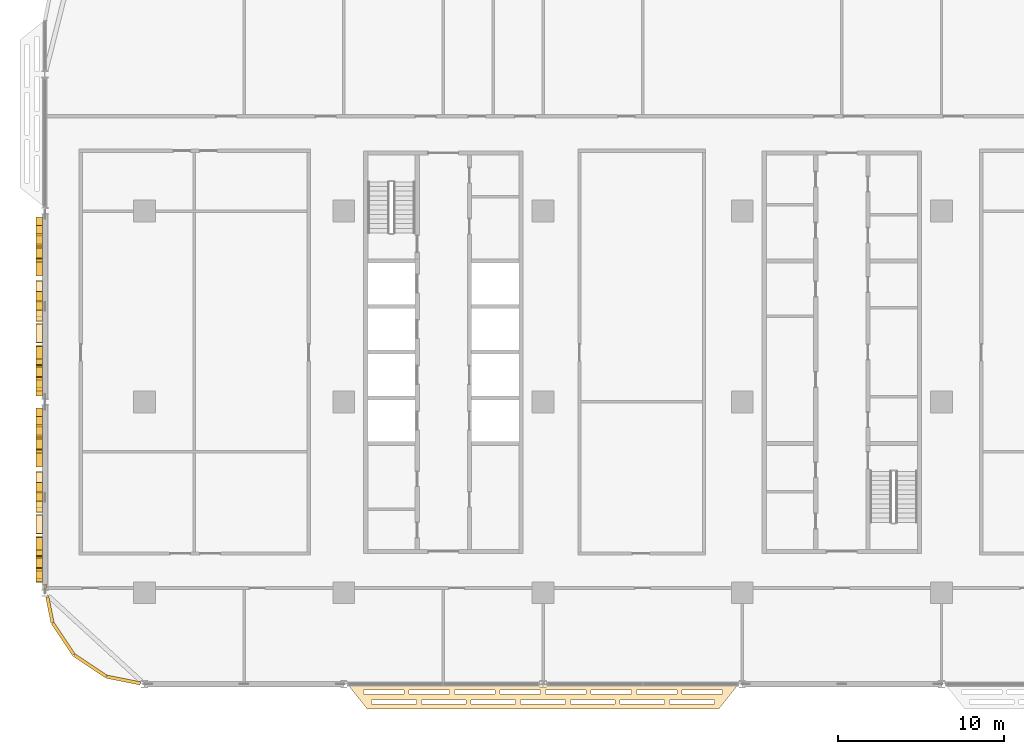
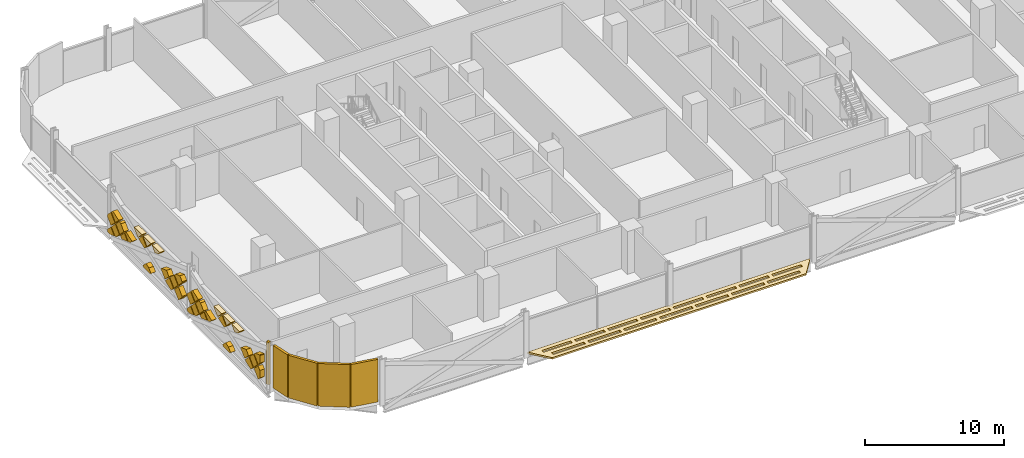
# One storey, part 24 of 28: 40 coverings.
"""IFC4 building model written with IfcOpenShell, lengths in metres."""

from ifc_helpers import new_model, si_unit, direction, frame, origin, origin_2d, place, context, subcontext, project, spatial, polyline, rectangle, outline, extrude, material, layer, layer_set, type_object, element, save


model = new_model("IFC4")

# Units and contexts
model_context = context("Model", 3, precision=1e-05, world=origin(), true_north=direction((0.0, 1.0)))
body_context = subcontext(model_context, "Body", "Model", "MODEL_VIEW")
ifc_project = project(units=[si_unit("LENGTHUNIT", "METRE"), si_unit("AREAUNIT", "SQUARE_METRE"), si_unit("VOLUMEUNIT", "CUBIC_METRE"), si_unit("PLANEANGLEUNIT", "RADIAN"), si_unit("MASSUNIT", "GRAM", prefix="KILO")], contexts=[model_context])

# Site, building, storey
site_placement = place(None, origin())
site = spatial("IfcSite", under=ifc_project, at=site_placement, CompositionType="ELEMENT")
building_placement = place(site_placement, origin())
building = spatial("IfcBuilding", under=site, at=building_placement, Name="Mahtab Terrace Research Tower", CompositionType="ELEMENT")
storey_placement = place(building_placement, frame((0.0, 0.0, 134.300048828125)))
storey = spatial("IfcBuildingStorey", under=building, at=storey_placement, Name="L31", CompositionType="ELEMENT", Elevation=134.300048828125)

# Coverings
ifc_material_1 = material(Name="Black aluminium cladding panel", Category="aluminium")
ifc_layer_1 = layer(ifc_material_1, 0.199951171875)
ifc_layer_set_1 = layer_set([ifc_layer_1], Name="Black metal corner cladding 200")
covering_type_1 = type_object("IfcCoveringType", Name="Black metal corner cladding 200", PredefinedType="CLADDING", material=ifc_layer_set_1)
covering_1_placement = place(storey_placement, frame((-47.97607421875, -11.11962890625, 0.0), z_axis=(0.0, 0.0, 1.0), x_axis=(0.195212442692, -0.980760981187, 0.0)))
element("IfcCovering", 1, at=covering_1_placement, inside=storey, type_object=covering_type_1, Name="Corner cladding L31 19", PredefinedType="CLADDING", context=body_context, shape_type="SweptSolid", body=[
    extrude(rectangle(XDim=0.22412109375, YDim=0.199951171875, at=origin_2d()), origin(), (0.0, 0.0, 1.0), 3.760009765625),
])
covering_2_placement = place(storey_placement, frame((-47.700439453125, -12.50439453125, 0.0), z_axis=(0.0, 0.0, 1.0), x_axis=(0.195212442692, -0.980760981187, 0.0)))
element("IfcCovering", 2, at=covering_2_placement, inside=storey, type_object=covering_type_1, Name="Corner cladding L31 20", PredefinedType="CLADDING", context=body_context, shape_type="SweptSolid", body=[
    extrude(rectangle(XDim=1.574462890625, YDim=0.199951171875, at=origin_2d()), origin(), (0.0, 0.0, 1.0), 3.760009765625),
])
for number, where, z_axis, x_axis, name in (
    (3, (-46.89306640625, -14.26953125, 0.0), (0.0, 0.0, 1.0), (0.555291490808, -0.831655794326, 0.0), "Corner cladding L31 21"),
    (4, (-45.26953125, -15.89306640625, 0.0), (0.0, 0.0, 1.0), (0.831655794326, -0.555291490808, 0.0), "Corner cladding L31 22"),
):
    element("IfcCovering", number, at=place(storey_placement, frame(where, z_axis=z_axis, x_axis=x_axis)), inside=storey, type_object=covering_type_1, Name=name, PredefinedType="CLADDING", context=body_context, shape_type="SweptSolid", body=[
        extrude(rectangle(XDim=2.30126953125, YDim=0.199951171875, at=origin_2d()), origin(), (0.0, 0.0, 1.0), 3.760009765625),
    ])
covering_3_placement = place(storey_placement, frame((-43.263916015625, -16.74853515625, 0.0), z_axis=(0.0, 0.0, 1.0), x_axis=(0.980760981187, -0.195212442692, 0.0)))
element("IfcCovering", 5, at=covering_3_placement, inside=storey, type_object=covering_type_1, Name="Corner cladding L31 23", PredefinedType="CLADDING", context=body_context, shape_type="SweptSolid", body=[
    extrude(rectangle(XDim=2.064697265625, YDim=0.199951171875, at=origin_2d()), origin(), (0.0, 0.0, 1.0), 3.760009765625),
])
ifc_material_2 = material(Name="Black anodised aluminium", Category="aluminium")
ifc_layer_2 = layer(ifc_material_2, 0.14990234375)
ifc_layer_set_2 = layer_set([ifc_layer_2], Name="Horizontal sunshade band")
covering_type_2 = type_object("IfcCoveringType", Name="Horizontal sunshade band", PredefinedType="CLADDING", material=ifc_layer_set_2)
covering_4_placement = place(storey_placement, frame((0.0, 0.0, -0.150146484375)))
element("IfcCovering", 6, at=covering_4_placement, inside=storey, type_object=covering_type_2, Name="Sunshade band L31 25", PredefinedType="CLADDING", context=body_context, shape_type="SweptSolid", body=[
    extrude(outline(polyline([(-29.781982421875, -17.0), (-6.218017578125, -17.0), (-7.41796875, -18.5), (-28.58203125, -18.5), (-29.781982421875, -17.0)]), holes=[polyline([(-28.802001953125, -17.35009765625), (-26.364013671875, -17.35009765625), (-26.364013671875, -17.60009765625), (-28.802001953125, -17.60009765625), (-28.802001953125, -17.35009765625)]), polyline([(-26.06396484375, -17.35009765625), (-23.6259765625, -17.35009765625), (-23.6259765625, -17.60009765625), (-26.06396484375, -17.60009765625), (-26.06396484375, -17.35009765625)]), polyline([(-23.325927734375, -17.35009765625), (-20.887939453125, -17.35009765625), (-20.887939453125, -17.60009765625), (-23.325927734375, -17.60009765625), (-23.325927734375, -17.35009765625)]), polyline([(-20.587890625, -17.35009765625), (-18.14990234375, -17.35009765625), (-18.14990234375, -17.60009765625), (-20.587890625, -17.60009765625), (-20.587890625, -17.35009765625)]), polyline([(-17.85009765625, -17.35009765625), (-15.412109375, -17.35009765625), (-15.412109375, -17.60009765625), (-17.85009765625, -17.60009765625), (-17.85009765625, -17.35009765625)]), polyline([(-15.112060546875, -17.35009765625), (-12.674072265625, -17.35009765625), (-12.674072265625, -17.60009765625), (-15.112060546875, -17.60009765625), (-15.112060546875, -17.35009765625)]), polyline([(-12.3740234375, -17.35009765625), (-9.93603515625, -17.35009765625), (-9.93603515625, -17.60009765625), (-12.3740234375, -17.60009765625), (-12.3740234375, -17.35009765625)]), polyline([(-9.635986328125, -17.35009765625), (-7.197998046875, -17.35009765625), (-7.197998046875, -17.60009765625), (-9.635986328125, -17.60009765625), (-9.635986328125, -17.35009765625)]), polyline([(-28.322021484375, -17.949951171875), (-25.6298828125, -17.949951171875), (-25.6298828125, -18.199951171875), (-28.322021484375, -18.199951171875), (-28.322021484375, -17.949951171875)]), polyline([(-25.330078125, -17.949951171875), (-22.637939453125, -17.949951171875), (-22.637939453125, -18.199951171875), (-25.330078125, -18.199951171875), (-25.330078125, -17.949951171875)]), polyline([(-22.337890625, -17.949951171875), (-19.64599609375, -17.949951171875), (-19.64599609375, -18.199951171875), (-22.337890625, -18.199951171875), (-22.337890625, -17.949951171875)]), polyline([(-19.345947265625, -17.949951171875), (-16.654052734375, -17.949951171875), (-16.654052734375, -18.199951171875), (-19.345947265625, -18.199951171875), (-19.345947265625, -17.949951171875)]), polyline([(-16.35400390625, -17.949951171875), (-13.662109375, -17.949951171875), (-13.662109375, -18.199951171875), (-16.35400390625, -18.199951171875), (-16.35400390625, -17.949951171875)]), polyline([(-13.362060546875, -17.949951171875), (-10.669921875, -17.949951171875), (-10.669921875, -18.199951171875), (-13.362060546875, -18.199951171875), (-13.362060546875, -17.949951171875)]), polyline([(-10.3701171875, -17.949951171875), (-7.677978515625, -17.949951171875), (-7.677978515625, -18.199951171875), (-10.3701171875, -18.199951171875), (-10.3701171875, -17.949951171875)])]), origin(), (0.0, 0.0, 1.0), 0.150146484375),
])
ifc_material_3 = material(Name="Bronze anodised aluminium", Category="aluminium")
ifc_layer_3 = layer(ifc_material_3, 0.39990234375)
ifc_layer_set_3 = layer_set([ifc_layer_3], Name="Mashrabiya relief panel 400")
covering_type_3 = type_object("IfcCoveringType", Name="Mashrabiya relief panel 400", PredefinedType="CLADDING", material=ifc_layer_set_3)
covering_5_placement = place(storey_placement, frame((-48.14990234375, 11.14697265625, 0.18505859375), z_axis=(1.0, 0.0, 0.0), x_axis=(0.0, 0.0, 1.0)))
element("IfcCovering", 7, at=covering_5_placement, inside=storey, type_object=covering_type_3, Name="Mashrabiya lattice cell L31 W17.1", PredefinedType="CLADDING", context=body_context, shape_type="SweptSolid", body=[
    extrude(outline(polyline([(0.0, 0.0), (0.1298828125, 0.0), (0.644775390625, 0.514892578125), (0.14990234375, 1.010009765625), (-0.050048828125, 0.447998046875), (-0.050048828125, 0.050048828125), (0.0, 0.0)])), origin(), (0.0, 0.0, -1.0), 0.39990234375),
])
covering_6_placement = place(storey_placement, frame((-48.14990234375, 10.632080078125, 2.1298828125), z_axis=(1.0, 0.0, 0.0), x_axis=(0.0, -0.707255598772, -0.706957932274)))
element("IfcCovering", 8, at=covering_6_placement, inside=storey, type_object=covering_type_3, Name="Mashrabiya lattice cell L31 W17.2", PredefinedType="CLADDING", context=body_context, shape_type="SweptSolid", body=[
    extrude(outline(polyline([(0.0, 0.0), (0.8201817362875763, 0.0), (0.8200090664636573, 0.8203543334390104), (0.09184101544392964, 0.8202010671685369), (-0.0001532662704735177, 0.7281680510197277), (0.0, 0.0)])), origin(), (0.0, 0.0, -1.0), 0.39990234375),
])
covering_7_placement = place(storey_placement, frame((-48.14990234375, 10.56201171875, 0.89990234375), z_axis=(1.0, 0.0, 0.0), x_axis=(0.0, -0.707106781187, 0.707106781187)))
element("IfcCovering", 9, at=covering_7_placement, inside=storey, type_object=covering_type_3, Name="Mashrabiya lattice cell L31 W17.3", PredefinedType="CLADDING", context=body_context, shape_type="SweptSolid", body=[
    extrude(outline(polyline([(0.0, 0.0), (0.8203543516109556, 0.0), (0.820181718119455, 0.820181718119455), (0.1555427758420604, 0.8201817181194551), (0.0001726334915006511, 0.74663985074019), (0.0, 0.0)])), origin(), (0.0, 0.0, -1.0), 0.39990234375),
])
covering_8_placement = place(storey_placement, frame((-48.14990234375, 9.98193359375, 1.619873046875), z_axis=(1.0, 0.0, 0.0), x_axis=(0.0, 0.707106781187, 0.707106781187)))
element("IfcCovering", 10, at=covering_8_placement, inside=storey, type_object=covering_type_3, Name="Mashrabiya lattice cell L31 W17.4", PredefinedType="CLADDING", context=body_context, shape_type="SweptSolid", body=[
    extrude(outline(polyline([(0.0, 0.0), (0.8203543516109556, 0.0), (0.8203543516109556, 0.2914053336530499), (0.0, 0.6801759565124506), (0.0, 0.0)])), origin(), (0.0, 0.0, -1.0), 0.39990234375),
])
covering_9_placement = place(storey_placement, frame((-48.14990234375, 8.751953125, 1.550048828125), z_axis=(1.0, 0.0, 0.0), x_axis=(0.0, 0.707106781187, -0.707106781187)))
element("IfcCovering", 11, at=covering_9_placement, inside=storey, type_object=covering_type_3, Name="Mashrabiya lattice cell L31 W17.5", PredefinedType="CLADDING", context=body_context, shape_type="SweptSolid", body=[
    extrude(outline(polyline([(0.0, 0.0), (0.8203543516109556, 0.0), (0.8203543516109556, 0.8203543516109556), (0.09339471890183648, 0.820181718119455), (0.0001726334915006511, 0.6237248047917472), (0.0, 0.0)])), origin(), (0.0, 0.0, -1.0), 0.39990234375),
])
covering_10_placement = place(storey_placement, frame((-48.14990234375, 9.261962890625, 0.89990234375), z_axis=(1.0, 0.0, 0.0), x_axis=(0.0, -0.707106781187, 0.707106781187)))
element("IfcCovering", 12, at=covering_10_placement, inside=storey, type_object=covering_type_3, Name="Mashrabiya lattice cell L31 W17.6", PredefinedType="CLADDING", context=body_context, shape_type="SweptSolid", body=[
    extrude(outline(polyline([(0.0, 0.0), (0.8203543516109556, 0.0), (0.8203543516109556, 0.6518640639063485), (0.0, 0.2630934410469479), (0.0, 0.0)])), origin(), (0.0, 0.0, -1.0), 0.39990234375),
])
covering_11_placement = place(storey_placement, frame((-48.14990234375, 8.612060546875, 1.550048828125), z_axis=(1.0, 0.0, 0.0), x_axis=(0.0, -0.707608453066, 0.706604753133)))
element("IfcCovering", 13, at=covering_11_placement, inside=storey, type_object=covering_type_3, Name="Mashrabiya lattice cell L31 W17.7", PredefinedType="CLADDING", context=body_context, shape_type="SweptSolid", body=[
    extrude(outline(polyline([(0.0, 0.0), (0.24324065078536633, -1.3877787807814457e-17), (0.6341469786172366, 0.8199044893920819), (0.25504392676029536, 0.8201735476261891), (0.0004969490881323035, 0.7002012651783944), (0.0, 0.0)])), origin(), (0.0, 0.0, -1.0), 0.39990234375),
])
covering_12_placement = place(storey_placement, frame((-48.14990234375, 6.152099609375, 2.849853515625), z_axis=(1.0, 0.0, 0.0), x_axis=(0.0, 0.707106781187, -0.707106781187)))
element("IfcCovering", 14, at=covering_12_placement, inside=storey, type_object=covering_type_3, Name="Mashrabiya lattice cell L31 W17.8", PredefinedType="CLADDING", context=body_context, shape_type="SweptSolid", body=[
    extrude(outline(polyline([(0.0, 0.0), (0.8200090846279543, 0.0), (0.820181718119455, 0.820181718119455), (0.7946319613773629, 0.8201817181194551), (-0.00017263349150062161, 0.02537712325059143), (0.0, 0.0)])), origin(), (0.0, 0.0, -1.0), 0.39990234375),
])
covering_13_placement = place(storey_placement, frame((-48.14990234375, 6.08203125, 2.780029296875), z_axis=(1.0, 0.0, 0.0), x_axis=(0.0, -0.707106781187, -0.707106781187)))
element("IfcCovering", 15, at=covering_13_placement, inside=storey, type_object=covering_type_3, Name="Mashrabiya lattice cell L31 W17.9", PredefinedType="CLADDING", context=body_context, shape_type="SweptSolid", body=[
    extrude(outline(polyline([(0.0, 0.0), (0.8203543516109556, 0.0), (0.8203543516109556, 0.4060339720094629), (0.0, 0.7948045948688636), (0.0, 0.0)])), origin(), (0.0, 0.0, -1.0), 0.39990234375),
])
covering_14_placement = place(storey_placement, frame((-48.14990234375, 6.011962890625, 0.25), z_axis=(1.0, 0.0, 0.0), x_axis=(0.0, -0.707106781187, 0.707106781187)))
element("IfcCovering", 16, at=covering_14_placement, inside=storey, type_object=covering_type_3, Name="Mashrabiya lattice cell L31 W17.10", PredefinedType="CLADDING", context=body_context, shape_type="SweptSolid", body=[
    extrude(outline(polyline([(0.0, 0.0), (0.6321838458752777, 0.0), (0.8201817181194551, 0.3944675280789212), (0.820181718119455, 0.820181718119455), (0.6575609691258691, 0.820181718119455), (0.0, 0.1626207489935859), (0.0, 0.0)])), origin(), (0.0, 0.0, -1.0), 0.39990234375),
])
covering_15_placement = place(storey_placement, frame((-48.14990234375, 4.85205078125, 2.849853515625), z_axis=(1.0, 0.0, 0.0), x_axis=(0.0, 0.707106781187, -0.707106781187)))
element("IfcCovering", 17, at=covering_15_placement, inside=storey, type_object=covering_type_3, Name="Mashrabiya lattice cell L31 W17.11", PredefinedType="CLADDING", context=body_context, shape_type="SweptSolid", body=[
    extrude(outline(polyline([(0.0, 0.0), (0.8200090846279543, 0.0), (0.820181718119455, 0.820181718119455), (0.7946319613773629, 0.8201817181194551), (0.0, 0.02554975674209205), (0.0, 0.0)])), origin(), (0.0, 0.0, -1.0), 0.39990234375),
])
covering_16_placement = place(storey_placement, frame((-48.14990234375, 4.7119140625, 2.849853515625), z_axis=(1.0, 0.0, 0.0), x_axis=(0.0, -0.702280281445, 0.711900559273)))
element("IfcCovering", 18, at=covering_16_placement, inside=storey, type_object=covering_type_3, Name="Mashrabiya lattice cell L31 W17.12", PredefinedType="CLADDING", context=body_context, shape_type="SweptSolid", body=[
    extrude(outline(polyline([(0.0, 0.0), (0.025377710432544852, 1.734723475976807e-18), (0.8147572064709404, 0.8001929137923462), (0.8145834026234616, 0.8257420793717283), (0.44843741350169253, 0.8230786528441478), (-0.00411727222473407, 0.6052390170359014), (0.0, 0.0)])), origin(), (0.0, 0.0, -1.0), 0.39990234375),
])
covering_17_placement = place(storey_placement, frame((-48.14990234375, 2.251953125, 1.550048828125), z_axis=(1.0, 0.0, 0.0), x_axis=(0.0, 0.707106781187, -0.707106781187)))
element("IfcCovering", 19, at=covering_17_placement, inside=storey, type_object=covering_type_3, Name="Mashrabiya lattice cell L31 W17.13", PredefinedType="CLADDING", context=body_context, shape_type="SweptSolid", body=[
    extrude(outline(polyline([(0.0, 0.0), (0.8203543516109556, 0.0), (0.8203543516109556, 0.8203543516109556), (0.7171195236935837, 0.8203543516109555), (0.00017263349150062335, 0.48078427382923217), (0.0, 0.0)])), origin(), (0.0, 0.0, -1.0), 0.39990234375),
])
covering_18_placement = place(storey_placement, frame((-48.14990234375, 2.761962890625, 0.89990234375), z_axis=(1.0, 0.0, 0.0), x_axis=(0.0, -0.707106781187, 0.707106781187)))
element("IfcCovering", 20, at=covering_18_placement, inside=storey, type_object=covering_type_3, Name="Mashrabiya lattice cell L31 W17.14", PredefinedType="CLADDING", context=body_context, shape_type="SweptSolid", body=[
    extrude(outline(polyline([(0.0, 0.0), (0.8203543516109556, 0.0), (0.820181718119455, 0.820181718119455), (0.3209256606996563, 0.8201817181194551), (0.0, 0.14432159889451995), (0.0, 0.0)])), origin(), (0.0, 0.0, -1.0), 0.39990234375),
])
covering_19_placement = place(storey_placement, frame((-48.14990234375, 1.531982421875, 2.1298828125), z_axis=(1.0, 0.0, 0.0), x_axis=(0.0, -0.707255598772, -0.706957932274)))
element("IfcCovering", 21, at=covering_19_placement, inside=storey, type_object=covering_type_3, Name="Mashrabiya lattice cell L31 W17.15", PredefinedType="CLADDING", context=body_context, shape_type="SweptSolid", body=[
    extrude(outline(polyline([(0.0, 0.0), (0.8201817362875763, 0.0), (0.8200090664636573, 0.8203543334390104), (-0.0003452669753531423, 0.8201816636150915), (0.0, 0.0)])), origin(), (0.0, 0.0, -1.0), 0.39990234375),
])
covering_20_placement = place(storey_placement, frame((-48.14990234375, 0.882080078125, 0.320068359375), z_axis=(1.0, 0.0, 0.0), x_axis=(0.0, 0.707106781187, 0.707106781187)))
element("IfcCovering", 22, at=covering_20_placement, inside=storey, type_object=covering_type_3, Name="Mashrabiya lattice cell L31 W17.16", PredefinedType="CLADDING", context=body_context, shape_type="SweptSolid", body=[
    extrude(outline(polyline([(0.0, 0.0), (0.8200090846279543, 0.0), (0.820181718119455, 0.820181718119455), (0.07198816595575935, 0.8201817181194551), (-0.0001726334915006511, 0.748020918672195), (0.0, 0.0)])), origin(), (0.0, 0.0, -1.0), 0.39990234375),
])
covering_21_placement = place(storey_placement, frame((-48.14990234375, 0.882080078125, 1.619873046875), z_axis=(1.0, 0.0, 0.0), x_axis=(0.0, 0.706957932274, 0.707255598772)))
element("IfcCovering", 23, at=covering_21_placement, inside=storey, type_object=covering_type_3, Name="Mashrabiya lattice cell L31 W17.17", PredefinedType="CLADDING", context=body_context, shape_type="SweptSolid", body=[
    extrude(outline(polyline([(0.0, 0.0), (0.8201817362875763, 0.0), (0.8203969195151117, 0.20215377773300863), (0.5277406081634846, 0.8202432898822141), (0.07233346767272081, 0.8203391448896843), (0.0001574812745928078, 0.7481935355902086), (0.0, 0.0)])), origin(), (0.0, 0.0, -1.0), 0.39990234375),
])
covering_22_placement = place(storey_placement, frame((-48.14990234375, -0.35302734375, 0.18505859375), z_axis=(1.0, 0.0, 0.0), x_axis=(0.0, 0.0, 1.0)))
element("IfcCovering", 24, at=covering_22_placement, inside=storey, type_object=covering_type_3, Name="Mashrabiya lattice cell L31 W18.1", PredefinedType="CLADDING", context=body_context, shape_type="SweptSolid", body=[
    extrude(outline(polyline([(0.0, 0.0), (0.1298828125, 0.0), (0.644775390625, 0.514892578125), (0.14990234375, 1.010009765625), (-0.050048828125, 0.447998046875), (-0.050048828125, 0.050048828125), (0.0, 0.0)])), origin(), (0.0, 0.0, -1.0), 0.39990234375),
])
covering_23_placement = place(storey_placement, frame((-48.14990234375, -0.867919921875, 2.1298828125), z_axis=(1.0, 0.0, 0.0), x_axis=(0.0, -0.707255598772, -0.706957932274)))
element("IfcCovering", 25, at=covering_23_placement, inside=storey, type_object=covering_type_3, Name="Mashrabiya lattice cell L31 W18.2", PredefinedType="CLADDING", context=body_context, shape_type="SweptSolid", body=[
    extrude(outline(polyline([(0.0, 0.0), (0.8201817362875763, 0.0), (0.8200090664636573, 0.8203543334390104), (0.09184101544392964, 0.8202010671685369), (-0.0001532662704735177, 0.7281680510197277), (0.0, 0.0)])), origin(), (0.0, 0.0, -1.0), 0.39990234375),
])
covering_24_placement = place(storey_placement, frame((-48.14990234375, -0.93798828125, 0.89990234375), z_axis=(1.0, 0.0, 0.0), x_axis=(0.0, -0.707106781187, 0.707106781187)))
element("IfcCovering", 26, at=covering_24_placement, inside=storey, type_object=covering_type_3, Name="Mashrabiya lattice cell L31 W18.3", PredefinedType="CLADDING", context=body_context, shape_type="SweptSolid", body=[
    extrude(outline(polyline([(0.0, 0.0), (0.8203543516109556, 0.0), (0.820181718119455, 0.820181718119455), (0.1555427758420604, 0.8201817181194551), (0.0001726334915006511, 0.74663985074019), (0.0, 0.0)])), origin(), (0.0, 0.0, -1.0), 0.39990234375),
])
covering_25_placement = place(storey_placement, frame((-48.14990234375, -1.51806640625, 1.619873046875), z_axis=(1.0, 0.0, 0.0), x_axis=(0.0, 0.707106781187, 0.707106781187)))
element("IfcCovering", 27, at=covering_25_placement, inside=storey, type_object=covering_type_3, Name="Mashrabiya lattice cell L31 W18.4", PredefinedType="CLADDING", context=body_context, shape_type="SweptSolid", body=[
    extrude(outline(polyline([(0.0, 0.0), (0.8203543516109556, 0.0), (0.8203543516109556, 0.2914053336530499), (0.0, 0.6801759565124506), (0.0, 0.0)])), origin(), (0.0, 0.0, -1.0), 0.39990234375),
])
covering_26_placement = place(storey_placement, frame((-48.14990234375, -2.748046875, 1.550048828125), z_axis=(1.0, 0.0, 0.0), x_axis=(0.0, 0.707106781187, -0.707106781187)))
element("IfcCovering", 28, at=covering_26_placement, inside=storey, type_object=covering_type_3, Name="Mashrabiya lattice cell L31 W18.5", PredefinedType="CLADDING", context=body_context, shape_type="SweptSolid", body=[
    extrude(outline(polyline([(0.0, 0.0), (0.8203543516109556, 0.0), (0.8203543516109556, 0.8203543516109556), (0.09339471890183648, 0.820181718119455), (0.0001726334915006511, 0.6237248047917472), (0.0, 0.0)])), origin(), (0.0, 0.0, -1.0), 0.39990234375),
])
covering_27_placement = place(storey_placement, frame((-48.14990234375, -2.238037109375, 0.89990234375), z_axis=(1.0, 0.0, 0.0), x_axis=(0.0, -0.707106781187, 0.707106781187)))
element("IfcCovering", 29, at=covering_27_placement, inside=storey, type_object=covering_type_3, Name="Mashrabiya lattice cell L31 W18.6", PredefinedType="CLADDING", context=body_context, shape_type="SweptSolid", body=[
    extrude(outline(polyline([(0.0, 0.0), (0.8203543516109556, 0.0), (0.8203543516109556, 0.6518640639063485), (0.0, 0.2630934410469479), (0.0, 0.0)])), origin(), (0.0, 0.0, -1.0), 0.39990234375),
])
covering_28_placement = place(storey_placement, frame((-48.14990234375, -2.887939453125, 1.550048828125), z_axis=(1.0, 0.0, 0.0), x_axis=(0.0, -0.707608453066, 0.706604753133)))
element("IfcCovering", 30, at=covering_28_placement, inside=storey, type_object=covering_type_3, Name="Mashrabiya lattice cell L31 W18.7", PredefinedType="CLADDING", context=body_context, shape_type="SweptSolid", body=[
    extrude(outline(polyline([(0.0, 0.0), (0.24324065078536633, -1.3877787807814457e-17), (0.6341469786172366, 0.8199044893920819), (0.25504392676029536, 0.8201735476261891), (0.0004969490881323035, 0.7002012651783944), (0.0, 0.0)])), origin(), (0.0, 0.0, -1.0), 0.39990234375),
])
covering_29_placement = place(storey_placement, frame((-48.14990234375, -5.347900390625, 2.849853515625), z_axis=(1.0, 0.0, 0.0), x_axis=(0.0, 0.707106781187, -0.707106781187)))
element("IfcCovering", 31, at=covering_29_placement, inside=storey, type_object=covering_type_3, Name="Mashrabiya lattice cell L31 W18.8", PredefinedType="CLADDING", context=body_context, shape_type="SweptSolid", body=[
    extrude(outline(polyline([(0.0, 0.0), (0.8200090846279543, 0.0), (0.820181718119455, 0.820181718119455), (0.7946319613773629, 0.8201817181194551), (-0.00017263349150062161, 0.02537712325059143), (0.0, 0.0)])), origin(), (0.0, 0.0, -1.0), 0.39990234375),
])
covering_30_placement = place(storey_placement, frame((-48.14990234375, -5.41796875, 2.780029296875), z_axis=(1.0, 0.0, 0.0), x_axis=(0.0, -0.707106781187, -0.707106781187)))
element("IfcCovering", 32, at=covering_30_placement, inside=storey, type_object=covering_type_3, Name="Mashrabiya lattice cell L31 W18.9", PredefinedType="CLADDING", context=body_context, shape_type="SweptSolid", body=[
    extrude(outline(polyline([(0.0, 0.0), (0.8203543516109556, 0.0), (0.8203543516109556, 0.4060339720094629), (0.0, 0.7948045948688636), (0.0, 0.0)])), origin(), (0.0, 0.0, -1.0), 0.39990234375),
])
covering_31_placement = place(storey_placement, frame((-48.14990234375, -5.488037109375, 0.25), z_axis=(1.0, 0.0, 0.0), x_axis=(0.0, -0.707106781187, 0.707106781187)))
element("IfcCovering", 33, at=covering_31_placement, inside=storey, type_object=covering_type_3, Name="Mashrabiya lattice cell L31 W18.10", PredefinedType="CLADDING", context=body_context, shape_type="SweptSolid", body=[
    extrude(outline(polyline([(0.0, 0.0), (0.6321838458752777, 0.0), (0.8201817181194551, 0.3944675280789212), (0.820181718119455, 0.820181718119455), (0.6575609691258691, 0.820181718119455), (0.0, 0.1626207489935859), (0.0, 0.0)])), origin(), (0.0, 0.0, -1.0), 0.39990234375),
])
covering_32_placement = place(storey_placement, frame((-48.14990234375, -6.64794921875, 2.849853515625), z_axis=(1.0, 0.0, 0.0), x_axis=(0.0, 0.707106781187, -0.707106781187)))
element("IfcCovering", 34, at=covering_32_placement, inside=storey, type_object=covering_type_3, Name="Mashrabiya lattice cell L31 W18.11", PredefinedType="CLADDING", context=body_context, shape_type="SweptSolid", body=[
    extrude(outline(polyline([(0.0, 0.0), (0.8200090846279543, 0.0), (0.820181718119455, 0.820181718119455), (0.7946319613773629, 0.8201817181194551), (0.0, 0.02554975674209205), (0.0, 0.0)])), origin(), (0.0, 0.0, -1.0), 0.39990234375),
])
covering_33_placement = place(storey_placement, frame((-48.14990234375, -6.7880859375, 2.849853515625), z_axis=(1.0, 0.0, 0.0), x_axis=(0.0, -0.702280281445, 0.711900559273)))
element("IfcCovering", 35, at=covering_33_placement, inside=storey, type_object=covering_type_3, Name="Mashrabiya lattice cell L31 W18.12", PredefinedType="CLADDING", context=body_context, shape_type="SweptSolid", body=[
    extrude(outline(polyline([(0.0, 0.0), (0.025377710432544852, 1.734723475976807e-18), (0.8147572064709404, 0.8001929137923462), (0.8145834026234616, 0.8257420793717283), (0.44843741350169253, 0.8230786528441478), (-0.00411727222473407, 0.6052390170359014), (0.0, 0.0)])), origin(), (0.0, 0.0, -1.0), 0.39990234375),
])
covering_34_placement = place(storey_placement, frame((-48.14990234375, -9.248046875, 1.550048828125), z_axis=(1.0, 0.0, 0.0), x_axis=(0.0, 0.707106781187, -0.707106781187)))
element("IfcCovering", 36, at=covering_34_placement, inside=storey, type_object=covering_type_3, Name="Mashrabiya lattice cell L31 W18.13", PredefinedType="CLADDING", context=body_context, shape_type="SweptSolid", body=[
    extrude(outline(polyline([(0.0, 0.0), (0.8203543516109556, 0.0), (0.8203543516109556, 0.8203543516109556), (0.7171195236935837, 0.8203543516109555), (0.00017263349150062335, 0.48078427382923217), (0.0, 0.0)])), origin(), (0.0, 0.0, -1.0), 0.39990234375),
])
covering_35_placement = place(storey_placement, frame((-48.14990234375, -8.738037109375, 0.89990234375), z_axis=(1.0, 0.0, 0.0), x_axis=(0.0, -0.707106781187, 0.707106781187)))
element("IfcCovering", 37, at=covering_35_placement, inside=storey, type_object=covering_type_3, Name="Mashrabiya lattice cell L31 W18.14", PredefinedType="CLADDING", context=body_context, shape_type="SweptSolid", body=[
    extrude(outline(polyline([(0.0, 0.0), (0.8203543516109556, 0.0), (0.820181718119455, 0.820181718119455), (0.3209256606996563, 0.8201817181194551), (0.0, 0.14432159889451995), (0.0, 0.0)])), origin(), (0.0, 0.0, -1.0), 0.39990234375),
])
covering_36_placement = place(storey_placement, frame((-48.14990234375, -9.968017578125, 2.1298828125), z_axis=(1.0, 0.0, 0.0), x_axis=(0.0, -0.707255598772, -0.706957932274)))
element("IfcCovering", 38, at=covering_36_placement, inside=storey, type_object=covering_type_3, Name="Mashrabiya lattice cell L31 W18.15", PredefinedType="CLADDING", context=body_context, shape_type="SweptSolid", body=[
    extrude(outline(polyline([(0.0, 0.0), (0.8201817362875763, 0.0), (0.8200090664636573, 0.8203543334390104), (-0.0003452669753531423, 0.8201816636150915), (0.0, 0.0)])), origin(), (0.0, 0.0, -1.0), 0.39990234375),
])
covering_37_placement = place(storey_placement, frame((-48.14990234375, -10.617919921875, 0.320068359375), z_axis=(1.0, 0.0, 0.0), x_axis=(0.0, 0.707106781187, 0.707106781187)))
element("IfcCovering", 39, at=covering_37_placement, inside=storey, type_object=covering_type_3, Name="Mashrabiya lattice cell L31 W18.16", PredefinedType="CLADDING", context=body_context, shape_type="SweptSolid", body=[
    extrude(outline(polyline([(0.0, 0.0), (0.8200090846279543, 0.0), (0.820181718119455, 0.820181718119455), (0.4707715313221961, 0.8201817181194551), (-0.00017263349150062335, 0.34923755330575823), (0.0, 0.0)])), origin(), (0.0, 0.0, -1.0), 0.39990234375),
])
covering_38_placement = place(storey_placement, frame((-48.14990234375, -10.617919921875, 1.619873046875), z_axis=(1.0, 0.0, 0.0), x_axis=(0.0, 0.706957932274, 0.707255598772)))
element("IfcCovering", 40, at=covering_38_placement, inside=storey, type_object=covering_type_3, Name="Mashrabiya lattice cell L31 W18.17", PredefinedType="CLADDING", context=body_context, shape_type="SweptSolid", body=[
    extrude(outline(polyline([(0.0, 0.0), (0.8201817362875763, 0.0), (0.8203969195151117, 0.20215377773300863), (0.5277406081634846, 0.8202432898822141), (0.4711168242055731, 0.8202552081697236), (7.354455463215448e-05, 0.34941017905735633), (0.0, 0.0)])), origin(), (0.0, 0.0, -1.0), 0.39990234375),
])

save(model, "model.ifc")
